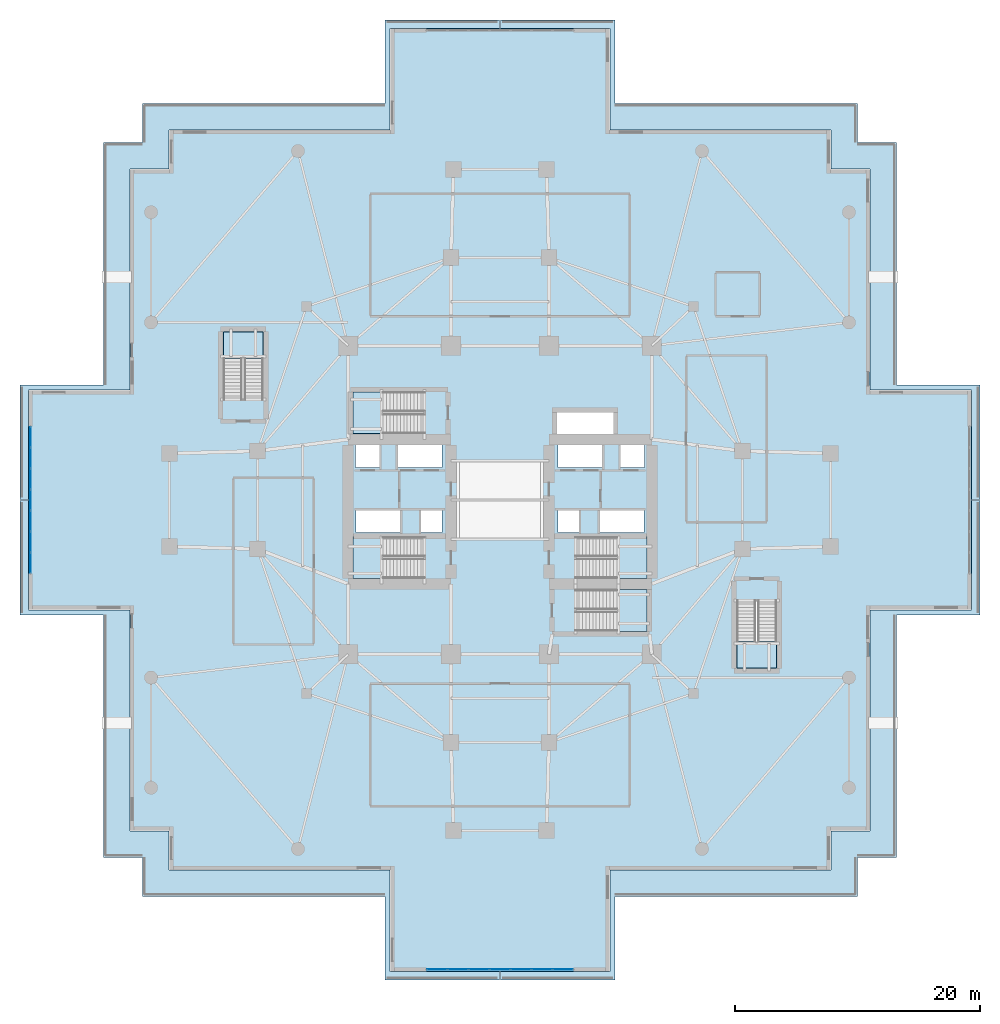
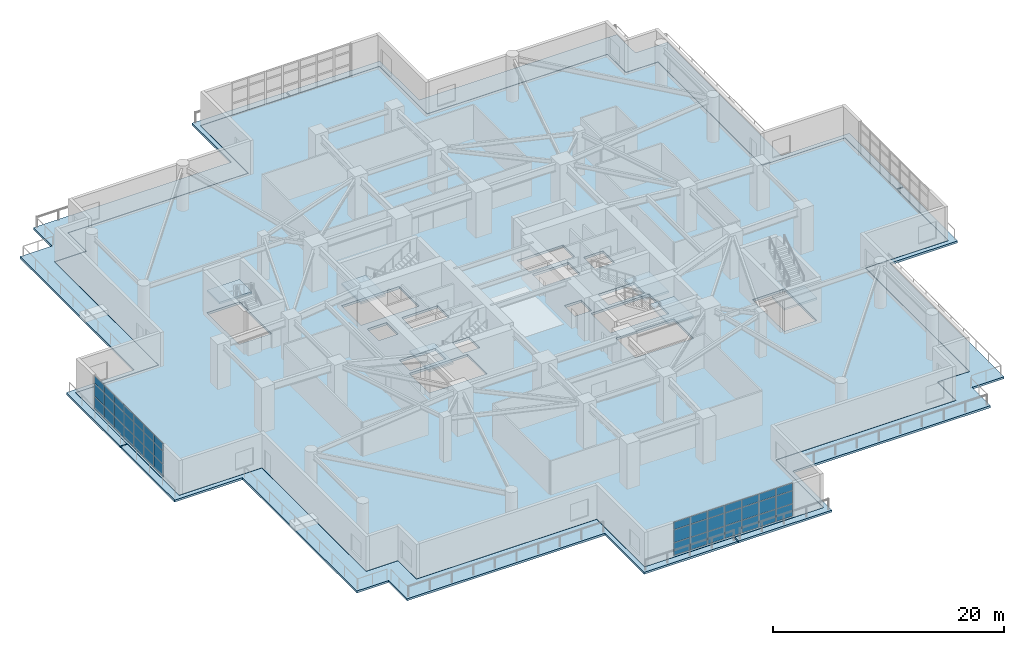
# One storey, part 11 of 23: 42 plates, 11 slabs, 8 elements without a shape of their own.
"""IFC4 building model written with IfcOpenShell, lengths in metres."""

import ifcopenshell
import ifcopenshell.guid

model = None  # the IFC model being written
_history = None  # IfcOwnerHistory: only IFC2X3 demands one
_inside = {}  # id of a spatial element -> (the spatial element, [elements in it])
_under = {}  # id of a project, library or spatial element -> (it, [spatial elements below it])
_declared = {}  # id of a project -> (the project, [libraries it declares])
_typed = {}  # id of a type object -> (the type object, [elements of that type])
_made_of = {}  # id of a material, layer set ... -> (it, [elements and type objects made of it])


def new_model(schema):
    """Start an empty IFC model of exactly this schema.

    Asked for "IFC4X3", IfcOpenShell would pick the latest addendum, in which some entities
    have other attributes; the version numbers below select the first issue.
    IFC2X3 requires an IfcOwnerHistory on every rooted entity: one is made here for all.
    """
    global model, _history
    if schema == "IFC4X3":
        model = ifcopenshell.file(schema_version=(4, 3, 0, 0))
    else:
        model = ifcopenshell.file(schema=schema)
    _inside.clear()
    _under.clear()
    _declared.clear()
    _typed.clear()
    _made_of.clear()
    _history = None
    if model.schema == "IFC2X3":
        org = make("IfcOrganization", Name="unknown")
        user = make(
            "IfcPersonAndOrganization",
            ThePerson=make("IfcPerson", FamilyName="unknown"),
            TheOrganization=org,
        )
        app = make(
            "IfcApplication",
            ApplicationDeveloper=org,
            Version="unknown",
            ApplicationFullName="unknown",
            ApplicationIdentifier="unknown",
        )
        _history = make(
            "IfcOwnerHistory",
            OwningUser=user,
            OwningApplication=app,
            ChangeAction="ADDED",
            CreationDate=0,
        )
    return model


def make(cls, **values):
    """One entity of the class cls with the attributes given. An attribute that is None is left unset."""
    return model.create_entity(
        cls, **{name: value for name, value in values.items() if value is not None}
    )


def rooted(cls, **values):
    """An entity with a GlobalId (a new one), such as an element, a storey or a relation."""
    return make(cls, GlobalId=ifcopenshell.guid.new(), OwnerHistory=_history, **values)


def si_unit(unit_type, name, prefix=None):
    """IfcSIUnit, for example si_unit("LENGTHUNIT", "METRE", prefix="MILLI")."""
    return make("IfcSIUnit", UnitType=unit_type, Prefix=prefix, Name=name)


def assignment(units):
    """IfcUnitAssignment: the units of a project."""
    return None if units is None else make("IfcUnitAssignment", Units=units)


def point(xyz):
    """IfcCartesianPoint."""
    return None if xyz is None else make("IfcCartesianPoint", Coordinates=xyz)


def direction(xyz):
    """IfcDirection."""
    return None if xyz is None else make("IfcDirection", DirectionRatios=xyz)


def frame(location, z_axis=None, x_axis=None):
    """IfcAxis2Placement3D, a coordinate frame: its origin and axes. An axis left out is left unset."""
    return make(
        "IfcAxis2Placement3D",
        Location=point(location),
        Axis=direction(z_axis),
        RefDirection=direction(x_axis),
    )


def frame_2d(location, x_axis=None):
    """IfcAxis2Placement2D, a coordinate frame in the plane: its origin and x axis."""
    return make(
        "IfcAxis2Placement2D", Location=point(location), RefDirection=direction(x_axis)
    )


def origin():
    """The frame at (0, 0, 0) with its axes left unset."""
    return frame((0.0, 0.0, 0.0))


def origin_2d():
    """The frame at (0, 0) in the plane with its x axis left unset."""
    return frame_2d((0.0, 0.0))


def place(relative_to, where):
    """IfcLocalPlacement: puts the frame where relative to a parent placement (None: the world)."""
    return make(
        "IfcLocalPlacement", PlacementRelTo=relative_to, RelativePlacement=where
    )


def context(
    kind, dimensions, precision=None, world=None, true_north=None, identifier=None
):
    """IfcGeometricRepresentationContext, for example the 3D "Model" context."""
    return make(
        "IfcGeometricRepresentationContext",
        ContextIdentifier=identifier,
        ContextType=kind,
        CoordinateSpaceDimension=dimensions,
        Precision=precision,
        WorldCoordinateSystem=world,
        TrueNorth=true_north,
    )


def subcontext(parent, identifier, kind, view, scale=None):
    """IfcGeometricRepresentationSubContext, for example "Body" below "Model"."""
    return make(
        "IfcGeometricRepresentationSubContext",
        ContextIdentifier=identifier,
        ContextType=kind,
        ParentContext=parent,
        TargetScale=scale,
        TargetView=view,
    )


def project(units=None, contexts=None):
    """IfcProject with its units and contexts."""
    return rooted(
        "IfcProject",
        Name="project",
        RepresentationContexts=contexts,
        UnitsInContext=assignment(units),
    )


def spatial(cls, under=None, at=None, **own):
    """A site, building, storey or space (cls), placed at a placement, below another one or the project."""
    s = rooted(cls, ObjectPlacement=at, **own)
    if under is not None:
        _under.setdefault(under.id(), (under, []))[1].append(s)
    return s


def polyline(points):
    """IfcPolyline through the points."""
    return make("IfcPolyline", Points=[point(p) for p in points])


def profile(cls, at=None, kind="AREA", **sizes):
    """A parametric profile (cls). Its sizes go by their IFC names, for example OverallWidth=200.0."""
    return make(cls, ProfileType=kind, Position=at, **sizes)


def rectangle(**sizes):
    """IfcRectangleProfileDef."""
    return profile("IfcRectangleProfileDef", **sizes)


def outline(outer, holes=None, kind="AREA"):
    """IfcArbitraryClosedProfileDef: a profile drawn as a closed curve; with holes, ...WithVoids."""
    if holes is None:
        return make("IfcArbitraryClosedProfileDef", ProfileType=kind, OuterCurve=outer)
    return make(
        "IfcArbitraryProfileDefWithVoids",
        ProfileType=kind,
        OuterCurve=outer,
        InnerCurves=holes,
    )


def extrude(swept, where, along, depth):
    """IfcExtrudedAreaSolid: the profile swept, set in the frame where, extruded along a direction by depth."""
    return make(
        "IfcExtrudedAreaSolid",
        SweptArea=swept,
        Position=where,
        ExtrudedDirection=direction(along),
        Depth=depth,
    )


def shape(context_of_items, identifier, shape_type, items):
    """IfcShapeRepresentation: the items that make up one representation, for example the "Body"."""
    return make(
        "IfcShapeRepresentation",
        ContextOfItems=context_of_items,
        RepresentationIdentifier=identifier,
        RepresentationType=shape_type,
        Items=items,
    )


def material(Name=None, Category=None):
    """IfcMaterial."""
    return make("IfcMaterial", Name=Name, Category=Category)


def layer(
    of_material, thickness, ventilated=None, Name=None, Category=None, Priority=None
):
    """IfcMaterialLayer: one layer of a wall or slab, of a material (None: an air gap)."""
    return make(
        "IfcMaterialLayer",
        Material=of_material,
        LayerThickness=thickness,
        IsVentilated=ventilated,
        Name=Name,
        Category=Category,
        Priority=Priority,
    )


def layer_set(layers, Name=None):
    """IfcMaterialLayerSet."""
    return make("IfcMaterialLayerSet", MaterialLayers=layers, LayerSetName=Name)


def made_of(thing, what):
    """Note that an element or type object is made of a material, layer set ...; save() writes the relation."""
    if what is not None:
        _made_of.setdefault(what.id(), (what, []))[1].append(thing)
    return thing


def type_object(cls, material=None, **own):
    """A type object (cls), such as IfcWallType, which elements share."""
    return made_of(rooted(cls, **own), material)


def element(
    cls,
    number,
    at=None,
    inside=None,
    cuts=None,
    type_object=None,
    material=None,
    context=None,
    identifier="Body",
    shape_type=None,
    held_by="IfcProductDefinitionShape",
    body=None,
    shapes=None,
    **own,
):
    """One element of the class cls, such as IfcWall. Its Tag is "e" and its number.

    at: its placement. inside: the storey or other place that contains it. cuts: it is an
    opening in that element (IfcRelVoidsElement). A single representation is given by context,
    identifier, shape_type and body (its items); several are given by shapes. held_by: the class
    of the entity that holds the representations. save() writes the other relations.
    """
    e = rooted(cls, Tag="e%d" % number, ObjectPlacement=at, **own)
    if body is not None:
        shapes = [shape(context, identifier, shape_type, body)]
    if shapes is not None:
        e.Representation = make(held_by, Representations=shapes)
    if inside is not None:
        _inside.setdefault(inside.id(), (inside, []))[1].append(e)
    if cuts is not None:
        rooted(
            "IfcRelVoidsElement", RelatingBuildingElement=cuts, RelatedOpeningElement=e
        )
    if type_object is not None:
        _typed.setdefault(type_object.id(), (type_object, []))[1].append(e)
    return made_of(e, material)


def aggregate(whole, parts):
    """IfcRelAggregates: a whole, such as a stair, and the parts it consists of."""
    return rooted("IfcRelAggregates", RelatingObject=whole, RelatedObjects=parts)


def save(model, path):
    """Write the relations noted so far, then the file.

    IfcRelAggregates (storeys below a building ...), IfcRelContainedInSpatialStructure (elements
    in a storey), IfcRelDefinesByType, IfcRelAssociatesMaterial and IfcRelDeclares: one each for
    every whole, place, type object, material and project.
    """
    for whole, parts in _under.values():
        aggregate(whole, parts)
    for where, things in _inside.values():
        rooted(
            "IfcRelContainedInSpatialStructure",
            RelatedElements=things,
            RelatingStructure=where,
        )
    for kind, things in _typed.values():
        rooted("IfcRelDefinesByType", RelatedObjects=things, RelatingType=kind)
    for what, things in _made_of.values():
        rooted("IfcRelAssociatesMaterial", RelatedObjects=things, RelatingMaterial=what)
    for by, libraries in _declared.values():
        rooted("IfcRelDeclares", RelatingContext=by, RelatedDefinitions=libraries)
    model.write(path)


model = new_model("IFC4")

# Units and contexts
model_context = context("Model", 3, precision=1e-05, world=origin(), true_north=direction((0.0, 1.0)))
body_context = subcontext(model_context, "Body", "Model", "MODEL_VIEW")
ifc_project = project(units=[si_unit("LENGTHUNIT", "METRE"), si_unit("AREAUNIT", "SQUARE_METRE"), si_unit("VOLUMEUNIT", "CUBIC_METRE"), si_unit("PLANEANGLEUNIT", "RADIAN"), si_unit("MASSUNIT", "GRAM", prefix="KILO")], contexts=[model_context])

# Site, building, storey
site_placement = place(None, origin())
site = spatial("IfcSite", under=ifc_project, at=site_placement, CompositionType="ELEMENT")
building_placement = place(site_placement, origin())
building = spatial("IfcBuilding", under=site, at=building_placement, Name="Qingluan Cross Belvedere", CompositionType="ELEMENT")
storey_placement = place(building_placement, frame((0.0, 0.0, 5.39990234375)))
storey = spatial("IfcBuildingStorey", under=building, at=storey_placement, Name="L02", CompositionType="ELEMENT", Elevation=5.39990234375)

# Curtain wall, plates
ifc_material_1 = material(Name="Thermally broken aluminium and Low-E glass", Category="aluminium")
ifc_layer_1 = layer(ifc_material_1, 0.199951171875, Name="UnitisedCW_PodiumArrival")
ifc_layer_set_1 = layer_set([ifc_layer_1], Name="Thermally broken aluminium and Low-E glass")
curtain_wall_type = type_object("IfcCurtainWallType", Name="UnitisedCW_PodiumArrival", PredefinedType="USERDEFINED", material=ifc_layer_set_1)
curtain_wall_1_placement = place(storey_placement, origin())
curtain_wall_1 = element("IfcCurtainWall", 1, at=curtain_wall_1_placement, inside=storey, type_object=curtain_wall_type, Name="UnitisedCW_PodiumArrival run env:cw:L02:S", ObjectType="UNITISED CURTAIN WALL", PredefinedType="USERDEFINED")
ifc_material_2 = material(Name="Ceramic-fritted insulated spandrel glass", Category="glass")
ifc_layer_2 = layer(ifc_material_2, 0.0439453125, Name="CWSpandrelPanel_44")
ifc_layer_set_2 = layer_set([ifc_layer_2], Name="Ceramic-fritted insulated spandrel glass")
plate_type = type_object("IfcPlateType", Name="CWSpandrelPanel_44", PredefinedType="CURTAIN_PANEL", material=ifc_layer_set_2)
plate_1_placement = place(storey_placement, frame((5.1279296875, -38.340087890625, 0.06005859375), z_axis=(0.0, 0.0, 1.0), x_axis=(-1.0, 0.0, 0.0)))
plate_1 = element("IfcPlate", 2, at=plate_1_placement, type_object=plate_type, Name="CW-P1 panel 1.1", PredefinedType="CURTAIN_PANEL", context=body_context, shape_type="SweptSolid", body=[
    extrude(rectangle(XDim=1.624267578125, YDim=0.028076171875, at=origin_2d()), origin(), (0.0, 0.0, 1.0), 1.2890625),
])
plate_2_placement = place(storey_placement, frame((5.1279296875, -38.340087890625, 1.4091796875), z_axis=(0.0, 0.0, 1.0), x_axis=(-1.0, 0.0, 0.0)))
plate_2 = element("IfcPlate", 3, at=plate_2_placement, type_object=plate_type, Name="CW-P1 panel 1.2", PredefinedType="CURTAIN_PANEL", context=body_context, shape_type="SweptSolid", body=[
    extrude(rectangle(XDim=1.624267578125, YDim=0.028076171875, at=origin_2d()), origin(), (0.0, 0.0, 1.0), 1.320068359375),
])
plate_3_placement = place(storey_placement, frame((5.1279296875, -38.340087890625, 2.7890625), z_axis=(0.0, 0.0, 1.0), x_axis=(-1.0, 0.0, 0.0)))
plate_3 = element("IfcPlate", 4, at=plate_3_placement, type_object=plate_type, Name="CW-P1 panel 1.3", PredefinedType="CURTAIN_PANEL", context=body_context, shape_type="SweptSolid", body=[
    extrude(rectangle(XDim=1.624267578125, YDim=0.028076171875, at=origin_2d()), origin(), (0.0, 0.0, 1.0), 0.781005859375),
])
plate_4_placement = place(storey_placement, frame((3.428466796875, -38.340087890625, 0.06005859375), z_axis=(0.0, 0.0, 1.0), x_axis=(-1.0, 0.0, 0.0)))
plate_4 = element("IfcPlate", 5, at=plate_4_placement, type_object=plate_type, Name="CW-P1 panel 2.1", PredefinedType="CURTAIN_PANEL", context=body_context, shape_type="SweptSolid", body=[
    extrude(rectangle(XDim=1.654296875, YDim=0.028076171875, at=origin_2d()), origin(), (0.0, 0.0, 1.0), 1.2890625),
])
plate_5_placement = place(storey_placement, frame((3.428466796875, -38.340087890625, 1.4091796875), z_axis=(0.0, 0.0, 1.0), x_axis=(-1.0, 0.0, 0.0)))
plate_5 = element("IfcPlate", 6, at=plate_5_placement, type_object=plate_type, Name="CW-P1 panel 2.2", PredefinedType="CURTAIN_PANEL", context=body_context, shape_type="SweptSolid", body=[
    extrude(rectangle(XDim=1.654296875, YDim=0.028076171875, at=origin_2d()), origin(), (0.0, 0.0, 1.0), 1.320068359375),
])
plate_6_placement = place(storey_placement, frame((3.428466796875, -38.340087890625, 2.7890625), z_axis=(0.0, 0.0, 1.0), x_axis=(-1.0, 0.0, 0.0)))
plate_6 = element("IfcPlate", 7, at=plate_6_placement, type_object=plate_type, Name="CW-P1 panel 2.3", PredefinedType="CURTAIN_PANEL", context=body_context, shape_type="SweptSolid", body=[
    extrude(rectangle(XDim=1.654296875, YDim=0.028076171875, at=origin_2d()), origin(), (0.0, 0.0, 1.0), 0.781005859375),
])
plate_7_placement = place(storey_placement, frame((1.71435546875, -38.340087890625, 0.06005859375), z_axis=(0.0, 0.0, 1.0), x_axis=(-1.0, 0.0, 0.0)))
plate_7 = element("IfcPlate", 8, at=plate_7_placement, type_object=plate_type, Name="CW-P1 panel 3.1", PredefinedType="CURTAIN_PANEL", context=body_context, shape_type="SweptSolid", body=[
    extrude(rectangle(XDim=1.654296875, YDim=0.028076171875, at=origin_2d()), origin(), (0.0, 0.0, 1.0), 1.2890625),
])
plate_8_placement = place(storey_placement, frame((1.71435546875, -38.340087890625, 1.4091796875), z_axis=(0.0, 0.0, 1.0), x_axis=(-1.0, 0.0, 0.0)))
plate_8 = element("IfcPlate", 9, at=plate_8_placement, type_object=plate_type, Name="CW-P1 panel 3.2", PredefinedType="CURTAIN_PANEL", context=body_context, shape_type="SweptSolid", body=[
    extrude(rectangle(XDim=1.654296875, YDim=0.028076171875, at=origin_2d()), origin(), (0.0, 0.0, 1.0), 1.320068359375),
])
plate_9_placement = place(storey_placement, frame((1.71435546875, -38.340087890625, 2.7890625), z_axis=(0.0, 0.0, 1.0), x_axis=(-1.0, 0.0, 0.0)))
plate_9 = element("IfcPlate", 10, at=plate_9_placement, type_object=plate_type, Name="CW-P1 panel 3.3", PredefinedType="CURTAIN_PANEL", context=body_context, shape_type="SweptSolid", body=[
    extrude(rectangle(XDim=1.654296875, YDim=0.028076171875, at=origin_2d()), origin(), (0.0, 0.0, 1.0), 0.781005859375),
])
plate_10_placement = place(storey_placement, frame((0.0, -38.340087890625, 0.06005859375), z_axis=(0.0, 0.0, 1.0), x_axis=(-1.0, 0.0, 0.0)))
plate_10 = element("IfcPlate", 11, at=plate_10_placement, type_object=plate_type, Name="CW-P1 panel 4.1", PredefinedType="CURTAIN_PANEL", context=body_context, shape_type="SweptSolid", body=[
    extrude(rectangle(XDim=1.654296875, YDim=0.028076171875, at=origin_2d()), origin(), (0.0, 0.0, 1.0), 1.2890625),
])
plate_11_placement = place(storey_placement, frame((0.0, -38.340087890625, 1.4091796875), z_axis=(0.0, 0.0, 1.0), x_axis=(-1.0, 0.0, 0.0)))
plate_11 = element("IfcPlate", 12, at=plate_11_placement, type_object=plate_type, Name="CW-P1 panel 4.2", PredefinedType="CURTAIN_PANEL", context=body_context, shape_type="SweptSolid", body=[
    extrude(rectangle(XDim=1.654296875, YDim=0.028076171875, at=origin_2d()), origin(), (0.0, 0.0, 1.0), 1.320068359375),
])
plate_12_placement = place(storey_placement, frame((0.0, -38.340087890625, 2.7890625), z_axis=(0.0, 0.0, 1.0), x_axis=(-1.0, 0.0, 0.0)))
plate_12 = element("IfcPlate", 13, at=plate_12_placement, type_object=plate_type, Name="CW-P1 panel 4.3", PredefinedType="CURTAIN_PANEL", context=body_context, shape_type="SweptSolid", body=[
    extrude(rectangle(XDim=1.654296875, YDim=0.028076171875, at=origin_2d()), origin(), (0.0, 0.0, 1.0), 0.781005859375),
])
plate_13_placement = place(storey_placement, frame((-1.71435546875, -38.340087890625, 0.06005859375), z_axis=(0.0, 0.0, 1.0), x_axis=(-1.0, 0.0, 0.0)))
plate_13 = element("IfcPlate", 14, at=plate_13_placement, type_object=plate_type, Name="CW-P1 panel 5.1", PredefinedType="CURTAIN_PANEL", context=body_context, shape_type="SweptSolid", body=[
    extrude(rectangle(XDim=1.654296875, YDim=0.028076171875, at=origin_2d()), origin(), (0.0, 0.0, 1.0), 1.2890625),
])
plate_14_placement = place(storey_placement, frame((-1.71435546875, -38.340087890625, 1.4091796875), z_axis=(0.0, 0.0, 1.0), x_axis=(-1.0, 0.0, 0.0)))
plate_14 = element("IfcPlate", 15, at=plate_14_placement, type_object=plate_type, Name="CW-P1 panel 5.2", PredefinedType="CURTAIN_PANEL", context=body_context, shape_type="SweptSolid", body=[
    extrude(rectangle(XDim=1.654296875, YDim=0.028076171875, at=origin_2d()), origin(), (0.0, 0.0, 1.0), 1.320068359375),
])
plate_15_placement = place(storey_placement, frame((-1.71435546875, -38.340087890625, 2.7890625), z_axis=(0.0, 0.0, 1.0), x_axis=(-1.0, 0.0, 0.0)))
plate_15 = element("IfcPlate", 16, at=plate_15_placement, type_object=plate_type, Name="CW-P1 panel 5.3", PredefinedType="CURTAIN_PANEL", context=body_context, shape_type="SweptSolid", body=[
    extrude(rectangle(XDim=1.654296875, YDim=0.028076171875, at=origin_2d()), origin(), (0.0, 0.0, 1.0), 0.781005859375),
])
plate_16_placement = place(storey_placement, frame((-3.428466796875, -38.340087890625, 0.06005859375), z_axis=(0.0, 0.0, 1.0), x_axis=(-1.0, 0.0, 0.0)))
plate_16 = element("IfcPlate", 17, at=plate_16_placement, type_object=plate_type, Name="CW-P1 panel 6.1", PredefinedType="CURTAIN_PANEL", context=body_context, shape_type="SweptSolid", body=[
    extrude(rectangle(XDim=1.654296875, YDim=0.028076171875, at=origin_2d()), origin(), (0.0, 0.0, 1.0), 1.2890625),
])
plate_17_placement = place(storey_placement, frame((-3.428466796875, -38.340087890625, 1.4091796875), z_axis=(0.0, 0.0, 1.0), x_axis=(-1.0, 0.0, 0.0)))
plate_17 = element("IfcPlate", 18, at=plate_17_placement, type_object=plate_type, Name="CW-P1 panel 6.2", PredefinedType="CURTAIN_PANEL", context=body_context, shape_type="SweptSolid", body=[
    extrude(rectangle(XDim=1.654296875, YDim=0.028076171875, at=origin_2d()), origin(), (0.0, 0.0, 1.0), 1.320068359375),
])
plate_18_placement = place(storey_placement, frame((-3.428466796875, -38.340087890625, 2.7890625), z_axis=(0.0, 0.0, 1.0), x_axis=(-1.0, 0.0, 0.0)))
plate_18 = element("IfcPlate", 19, at=plate_18_placement, type_object=plate_type, Name="CW-P1 panel 6.3", PredefinedType="CURTAIN_PANEL", context=body_context, shape_type="SweptSolid", body=[
    extrude(rectangle(XDim=1.654296875, YDim=0.028076171875, at=origin_2d()), origin(), (0.0, 0.0, 1.0), 0.781005859375),
])
plate_19_placement = place(storey_placement, frame((-5.1279296875, -38.340087890625, 0.06005859375), z_axis=(0.0, 0.0, 1.0), x_axis=(-1.0, 0.0, 0.0)))
plate_19 = element("IfcPlate", 20, at=plate_19_placement, type_object=plate_type, Name="CW-P1 panel 7.1", PredefinedType="CURTAIN_PANEL", context=body_context, shape_type="SweptSolid", body=[
    extrude(rectangle(XDim=1.624267578125, YDim=0.028076171875, at=origin_2d()), origin(), (0.0, 0.0, 1.0), 1.2890625),
])
plate_20_placement = place(storey_placement, frame((-5.1279296875, -38.340087890625, 1.4091796875), z_axis=(0.0, 0.0, 1.0), x_axis=(-1.0, 0.0, 0.0)))
plate_20 = element("IfcPlate", 21, at=plate_20_placement, type_object=plate_type, Name="CW-P1 panel 7.2", PredefinedType="CURTAIN_PANEL", context=body_context, shape_type="SweptSolid", body=[
    extrude(rectangle(XDim=1.624267578125, YDim=0.028076171875, at=origin_2d()), origin(), (0.0, 0.0, 1.0), 1.320068359375),
])
plate_21_placement = place(storey_placement, frame((-5.1279296875, -38.340087890625, 2.7890625), z_axis=(0.0, 0.0, 1.0), x_axis=(-1.0, 0.0, 0.0)))
plate_21 = element("IfcPlate", 22, at=plate_21_placement, type_object=plate_type, Name="CW-P1 panel 7.3", PredefinedType="CURTAIN_PANEL", context=body_context, shape_type="SweptSolid", body=[
    extrude(rectangle(XDim=1.624267578125, YDim=0.028076171875, at=origin_2d()), origin(), (0.0, 0.0, 1.0), 0.781005859375),
])
aggregate(curtain_wall_1, [plate_1, plate_2, plate_3, plate_4, plate_5, plate_6, plate_7, plate_8, plate_9, plate_10, plate_11, plate_12, plate_13, plate_14, plate_15, plate_16, plate_17, plate_18, plate_19, plate_20, plate_21])

curtain_wall_2_placement = place(storey_placement, origin())
curtain_wall_2 = element("IfcCurtainWall", 23, at=curtain_wall_2_placement, inside=storey, type_object=curtain_wall_type, Name="UnitisedCW_PodiumArrival run env:cw:L02:W", ObjectType="UNITISED CURTAIN WALL", PredefinedType="USERDEFINED")
plate_22_placement = place(storey_placement, frame((-38.340087890625, -5.1279296875, 0.06005859375), z_axis=(0.0, 0.0, 1.0), x_axis=(0.0, 1.0, 0.0)))
plate_22 = element("IfcPlate", 24, at=plate_22_placement, type_object=plate_type, Name="CW-P1 panel 1.1", PredefinedType="CURTAIN_PANEL", context=body_context, shape_type="SweptSolid", body=[
    extrude(rectangle(XDim=1.624267578125, YDim=0.028076171875, at=origin_2d()), origin(), (0.0, 0.0, 1.0), 1.2890625),
])
plate_23_placement = place(storey_placement, frame((-38.340087890625, -5.1279296875, 1.4091796875), z_axis=(0.0, 0.0, 1.0), x_axis=(0.0, 1.0, 0.0)))
plate_23 = element("IfcPlate", 25, at=plate_23_placement, type_object=plate_type, Name="CW-P1 panel 1.2", PredefinedType="CURTAIN_PANEL", context=body_context, shape_type="SweptSolid", body=[
    extrude(rectangle(XDim=1.624267578125, YDim=0.028076171875, at=origin_2d()), origin(), (0.0, 0.0, 1.0), 1.320068359375),
])
plate_24_placement = place(storey_placement, frame((-38.340087890625, -5.1279296875, 2.7890625), z_axis=(0.0, 0.0, 1.0), x_axis=(0.0, 1.0, 0.0)))
plate_24 = element("IfcPlate", 26, at=plate_24_placement, type_object=plate_type, Name="CW-P1 panel 1.3", PredefinedType="CURTAIN_PANEL", context=body_context, shape_type="SweptSolid", body=[
    extrude(rectangle(XDim=1.624267578125, YDim=0.028076171875, at=origin_2d()), origin(), (0.0, 0.0, 1.0), 0.781005859375),
])
plate_25_placement = place(storey_placement, frame((-38.340087890625, -3.428466796875, 0.06005859375), z_axis=(0.0, 0.0, 1.0), x_axis=(0.0, 1.0, 0.0)))
plate_25 = element("IfcPlate", 27, at=plate_25_placement, type_object=plate_type, Name="CW-P1 panel 2.1", PredefinedType="CURTAIN_PANEL", context=body_context, shape_type="SweptSolid", body=[
    extrude(rectangle(XDim=1.654296875, YDim=0.028076171875, at=origin_2d()), origin(), (0.0, 0.0, 1.0), 1.2890625),
])
plate_26_placement = place(storey_placement, frame((-38.340087890625, -3.428466796875, 1.4091796875), z_axis=(0.0, 0.0, 1.0), x_axis=(0.0, 1.0, 0.0)))
plate_26 = element("IfcPlate", 28, at=plate_26_placement, type_object=plate_type, Name="CW-P1 panel 2.2", PredefinedType="CURTAIN_PANEL", context=body_context, shape_type="SweptSolid", body=[
    extrude(rectangle(XDim=1.654296875, YDim=0.028076171875, at=origin_2d()), origin(), (0.0, 0.0, 1.0), 1.320068359375),
])
plate_27_placement = place(storey_placement, frame((-38.340087890625, -3.428466796875, 2.7890625), z_axis=(0.0, 0.0, 1.0), x_axis=(0.0, 1.0, 0.0)))
plate_27 = element("IfcPlate", 29, at=plate_27_placement, type_object=plate_type, Name="CW-P1 panel 2.3", PredefinedType="CURTAIN_PANEL", context=body_context, shape_type="SweptSolid", body=[
    extrude(rectangle(XDim=1.654296875, YDim=0.028076171875, at=origin_2d()), origin(), (0.0, 0.0, 1.0), 0.781005859375),
])
plate_28_placement = place(storey_placement, frame((-38.340087890625, -1.71435546875, 0.06005859375), z_axis=(0.0, 0.0, 1.0), x_axis=(0.0, 1.0, 0.0)))
plate_28 = element("IfcPlate", 30, at=plate_28_placement, type_object=plate_type, Name="CW-P1 panel 3.1", PredefinedType="CURTAIN_PANEL", context=body_context, shape_type="SweptSolid", body=[
    extrude(rectangle(XDim=1.654296875, YDim=0.028076171875, at=origin_2d()), origin(), (0.0, 0.0, 1.0), 1.2890625),
])
plate_29_placement = place(storey_placement, frame((-38.340087890625, -1.71435546875, 1.4091796875), z_axis=(0.0, 0.0, 1.0), x_axis=(0.0, 1.0, 0.0)))
plate_29 = element("IfcPlate", 31, at=plate_29_placement, type_object=plate_type, Name="CW-P1 panel 3.2", PredefinedType="CURTAIN_PANEL", context=body_context, shape_type="SweptSolid", body=[
    extrude(rectangle(XDim=1.654296875, YDim=0.028076171875, at=origin_2d()), origin(), (0.0, 0.0, 1.0), 1.320068359375),
])
plate_30_placement = place(storey_placement, frame((-38.340087890625, -1.71435546875, 2.7890625), z_axis=(0.0, 0.0, 1.0), x_axis=(0.0, 1.0, 0.0)))
plate_30 = element("IfcPlate", 32, at=plate_30_placement, type_object=plate_type, Name="CW-P1 panel 3.3", PredefinedType="CURTAIN_PANEL", context=body_context, shape_type="SweptSolid", body=[
    extrude(rectangle(XDim=1.654296875, YDim=0.028076171875, at=origin_2d()), origin(), (0.0, 0.0, 1.0), 0.781005859375),
])
plate_31_placement = place(storey_placement, frame((-38.340087890625, 0.0, 0.06005859375), z_axis=(0.0, 0.0, 1.0), x_axis=(0.0, 1.0, 0.0)))
plate_31 = element("IfcPlate", 33, at=plate_31_placement, type_object=plate_type, Name="CW-P1 panel 4.1", PredefinedType="CURTAIN_PANEL", context=body_context, shape_type="SweptSolid", body=[
    extrude(rectangle(XDim=1.654296875, YDim=0.028076171875, at=origin_2d()), origin(), (0.0, 0.0, 1.0), 1.2890625),
])
plate_32_placement = place(storey_placement, frame((-38.340087890625, 0.0, 1.4091796875), z_axis=(0.0, 0.0, 1.0), x_axis=(0.0, 1.0, 0.0)))
plate_32 = element("IfcPlate", 34, at=plate_32_placement, type_object=plate_type, Name="CW-P1 panel 4.2", PredefinedType="CURTAIN_PANEL", context=body_context, shape_type="SweptSolid", body=[
    extrude(rectangle(XDim=1.654296875, YDim=0.028076171875, at=origin_2d()), origin(), (0.0, 0.0, 1.0), 1.320068359375),
])
plate_33_placement = place(storey_placement, frame((-38.340087890625, 0.0, 2.7890625), z_axis=(0.0, 0.0, 1.0), x_axis=(0.0, 1.0, 0.0)))
plate_33 = element("IfcPlate", 35, at=plate_33_placement, type_object=plate_type, Name="CW-P1 panel 4.3", PredefinedType="CURTAIN_PANEL", context=body_context, shape_type="SweptSolid", body=[
    extrude(rectangle(XDim=1.654296875, YDim=0.028076171875, at=origin_2d()), origin(), (0.0, 0.0, 1.0), 0.781005859375),
])
plate_34_placement = place(storey_placement, frame((-38.340087890625, 1.71435546875, 0.06005859375), z_axis=(0.0, 0.0, 1.0), x_axis=(0.0, 1.0, 0.0)))
plate_34 = element("IfcPlate", 36, at=plate_34_placement, type_object=plate_type, Name="CW-P1 panel 5.1", PredefinedType="CURTAIN_PANEL", context=body_context, shape_type="SweptSolid", body=[
    extrude(rectangle(XDim=1.654296875, YDim=0.028076171875, at=origin_2d()), origin(), (0.0, 0.0, 1.0), 1.2890625),
])
plate_35_placement = place(storey_placement, frame((-38.340087890625, 1.71435546875, 1.4091796875), z_axis=(0.0, 0.0, 1.0), x_axis=(0.0, 1.0, 0.0)))
plate_35 = element("IfcPlate", 37, at=plate_35_placement, type_object=plate_type, Name="CW-P1 panel 5.2", PredefinedType="CURTAIN_PANEL", context=body_context, shape_type="SweptSolid", body=[
    extrude(rectangle(XDim=1.654296875, YDim=0.028076171875, at=origin_2d()), origin(), (0.0, 0.0, 1.0), 1.320068359375),
])
plate_36_placement = place(storey_placement, frame((-38.340087890625, 1.71435546875, 2.7890625), z_axis=(0.0, 0.0, 1.0), x_axis=(0.0, 1.0, 0.0)))
plate_36 = element("IfcPlate", 38, at=plate_36_placement, type_object=plate_type, Name="CW-P1 panel 5.3", PredefinedType="CURTAIN_PANEL", context=body_context, shape_type="SweptSolid", body=[
    extrude(rectangle(XDim=1.654296875, YDim=0.028076171875, at=origin_2d()), origin(), (0.0, 0.0, 1.0), 0.781005859375),
])
plate_37_placement = place(storey_placement, frame((-38.340087890625, 3.428466796875, 0.06005859375), z_axis=(0.0, 0.0, 1.0), x_axis=(0.0, 1.0, 0.0)))
plate_37 = element("IfcPlate", 39, at=plate_37_placement, type_object=plate_type, Name="CW-P1 panel 6.1", PredefinedType="CURTAIN_PANEL", context=body_context, shape_type="SweptSolid", body=[
    extrude(rectangle(XDim=1.654296875, YDim=0.028076171875, at=origin_2d()), origin(), (0.0, 0.0, 1.0), 1.2890625),
])
plate_38_placement = place(storey_placement, frame((-38.340087890625, 3.428466796875, 1.4091796875), z_axis=(0.0, 0.0, 1.0), x_axis=(0.0, 1.0, 0.0)))
plate_38 = element("IfcPlate", 40, at=plate_38_placement, type_object=plate_type, Name="CW-P1 panel 6.2", PredefinedType="CURTAIN_PANEL", context=body_context, shape_type="SweptSolid", body=[
    extrude(rectangle(XDim=1.654296875, YDim=0.028076171875, at=origin_2d()), origin(), (0.0, 0.0, 1.0), 1.320068359375),
])
plate_39_placement = place(storey_placement, frame((-38.340087890625, 3.428466796875, 2.7890625), z_axis=(0.0, 0.0, 1.0), x_axis=(0.0, 1.0, 0.0)))
plate_39 = element("IfcPlate", 41, at=plate_39_placement, type_object=plate_type, Name="CW-P1 panel 6.3", PredefinedType="CURTAIN_PANEL", context=body_context, shape_type="SweptSolid", body=[
    extrude(rectangle(XDim=1.654296875, YDim=0.028076171875, at=origin_2d()), origin(), (0.0, 0.0, 1.0), 0.781005859375),
])
plate_40_placement = place(storey_placement, frame((-38.340087890625, 5.1279296875, 0.06005859375), z_axis=(0.0, 0.0, 1.0), x_axis=(0.0, 1.0, 0.0)))
plate_40 = element("IfcPlate", 42, at=plate_40_placement, type_object=plate_type, Name="CW-P1 panel 7.1", PredefinedType="CURTAIN_PANEL", context=body_context, shape_type="SweptSolid", body=[
    extrude(rectangle(XDim=1.624267578125, YDim=0.028076171875, at=origin_2d()), origin(), (0.0, 0.0, 1.0), 1.2890625),
])
plate_41_placement = place(storey_placement, frame((-38.340087890625, 5.1279296875, 1.4091796875), z_axis=(0.0, 0.0, 1.0), x_axis=(0.0, 1.0, 0.0)))
plate_41 = element("IfcPlate", 43, at=plate_41_placement, type_object=plate_type, Name="CW-P1 panel 7.2", PredefinedType="CURTAIN_PANEL", context=body_context, shape_type="SweptSolid", body=[
    extrude(rectangle(XDim=1.624267578125, YDim=0.028076171875, at=origin_2d()), origin(), (0.0, 0.0, 1.0), 1.320068359375),
])
plate_42_placement = place(storey_placement, frame((-38.340087890625, 5.1279296875, 2.7890625), z_axis=(0.0, 0.0, 1.0), x_axis=(0.0, 1.0, 0.0)))
plate_42 = element("IfcPlate", 44, at=plate_42_placement, type_object=plate_type, Name="CW-P1 panel 7.3", PredefinedType="CURTAIN_PANEL", context=body_context, shape_type="SweptSolid", body=[
    extrude(rectangle(XDim=1.624267578125, YDim=0.028076171875, at=origin_2d()), origin(), (0.0, 0.0, 1.0), 0.781005859375),
])
aggregate(curtain_wall_2, [plate_22, plate_23, plate_24, plate_25, plate_26, plate_27, plate_28, plate_29, plate_30, plate_31, plate_32, plate_33, plate_34, plate_35, plate_36, plate_37, plate_38, plate_39, plate_40, plate_41, plate_42])

# Slab
ifc_material_3 = material(Name="Concrete C40", Category="concrete")
ifc_layer_3 = layer(ifc_material_3, 0.25, Name="FloorSlab_250")
ifc_layer_set_3 = layer_set([ifc_layer_3], Name="Concrete C40")
slab_type_1 = type_object("IfcSlabType", Name="FloorSlab_250", PredefinedType="FLOOR", material=ifc_layer_set_3)
slab_1_placement = place(storey_placement, frame((0.0, 0.0, -0.25)))
element("IfcSlab", 45, at=slab_1_placement, inside=storey, type_object=slab_type_1, Name="Structural floor slab L02", PredefinedType="FLOOR", context=body_context, shape_type="SweptSolid", body=[
    extrude(outline(polyline([(27.0, -30.199951171875), (27.0, -27.0), (30.199951171875, -27.0), (30.199951171875, -8.949951171875), (38.5, -8.949951171875), (38.5, 8.949951171875), (30.199951171875, 8.949951171875), (30.199951171875, 27.0), (27.0, 27.0), (27.0, 30.199951171875), (8.949951171875, 30.199951171875), (8.949951171875, 38.5), (-8.949951171875, 38.5), (-8.949951171875, 30.199951171875), (-27.0, 30.199951171875), (-27.0, 27.0), (-30.199951171875, 27.0), (-30.199951171875, 8.949951171875), (-38.5, 8.949951171875), (-38.5, -8.949951171875), (-30.199951171875, -8.949951171875), (-30.199951171875, -27.0), (-27.0, -27.0), (-27.0, -30.199951171875), (-8.949951171875, -30.199951171875), (-8.949951171875, -38.5), (8.949951171875, -38.5), (8.949951171875, -30.199951171875), (27.0, -30.199951171875)]), holes=[polyline([(-12.0, -3.0), (-6.179931640625, -3.0), (-6.179931640625, -6.39990234375), (-12.0, -6.39990234375), (-12.0, -3.0)]), polyline([(6.179931640625, -3.0), (12.0, -3.0), (12.0, -6.39990234375), (6.179931640625, -6.39990234375), (6.179931640625, -3.0)]), polyline([(-12.0, 8.820068359375), (-6.179931640625, 8.820068359375), (-6.179931640625, 5.419921875), (-12.0, 5.419921875), (-12.0, 8.820068359375)]), polyline([(6.179931640625, -7.320068359375), (12.0, -7.320068359375), (12.0, -10.719970703125), (6.179931640625, -10.719970703125), (6.179931640625, -7.320068359375)]), polyline([(-22.60009765625, 13.72998046875), (-19.340087890625, 13.72998046875), (-19.340087890625, 8.2099609375), (-22.60009765625, 8.2099609375), (-22.60009765625, 13.72998046875)]), polyline([(19.340087890625, -8.2099609375), (22.60009765625, -8.2099609375), (22.60009765625, -13.72998046875), (19.340087890625, -13.72998046875), (19.340087890625, -8.2099609375)]), polyline([(-11.800048828125, 4.64990234375), (-9.85009765625, 4.64990234375), (-9.85009765625, 2.64990234375), (-11.800048828125, 2.64990234375), (-11.800048828125, 4.64990234375)]), polyline([(-8.35009765625, 4.64990234375), (-4.75, 4.64990234375), (-4.75, 2.64990234375), (-8.35009765625, 2.64990234375), (-8.35009765625, 4.64990234375)]), polyline([(4.75, 4.64990234375), (8.35009765625, 4.64990234375), (8.35009765625, 2.64990234375), (4.75, 2.64990234375), (4.75, 4.64990234375)]), polyline([(9.85009765625, 4.64990234375), (11.800048828125, 4.64990234375), (11.800048828125, 2.64990234375), (9.85009765625, 2.64990234375), (9.85009765625, 4.64990234375)]), polyline([(-11.75, -0.840087890625), (-8.14990234375, -0.840087890625), (-8.14990234375, -2.659912109375), (-11.75, -2.659912109375), (-11.75, -0.840087890625)]), polyline([(-6.449951171875, -0.840087890625), (-4.75, -0.840087890625), (-4.75, -2.659912109375), (-6.449951171875, -2.659912109375), (-6.449951171875, -0.840087890625)]), polyline([(4.75, -0.840087890625), (6.449951171875, -0.840087890625), (6.449951171875, -2.659912109375), (4.75, -2.659912109375), (4.75, -0.840087890625)]), polyline([(8.14990234375, -0.840087890625), (11.75, -0.840087890625), (11.75, -2.659912109375), (8.14990234375, -2.659912109375), (8.14990234375, -0.840087890625)]), polyline([(4.64990234375, 7.14990234375), (9.25, 7.14990234375), (9.25, 5.14990234375), (4.64990234375, 5.14990234375), (4.64990234375, 7.14990234375)])]), origin(), (0.0, 0.0, 1.0), 0.25),
])

# Stair, slab
ifc_material_4 = material(Name="Concrete C40", Category="concrete")
stair_type_1 = type_object("IfcStairType", Name="CoreDoglegStair_1620", PredefinedType="HALF_TURN_STAIR", material=ifc_material_4)
stair_1_placement = place(storey_placement, origin())
stair_1 = element("IfcStair", 46, at=stair_1_placement, inside=storey, type_object=stair_type_1, Name="L02 ST1", PredefinedType="HALF_TURN_STAIR")
ifc_material_5 = material(Name="Concrete C40", Category="concrete")
ifc_layer_4 = layer(ifc_material_5, 0.179931640625, Name="StairLandingSlab_180")
ifc_layer_set_4 = layer_set([ifc_layer_4], Name="Concrete C40")
slab_type_2 = type_object("IfcSlabType", Name="StairLandingSlab_180", PredefinedType="LANDING", material=ifc_layer_set_4)
slab_2_placement = place(storey_placement, frame((0.0, 0.0, 2.2001953125)))
slab_2 = element("IfcSlab", 47, at=slab_2_placement, type_object=slab_type_2, Name="ST1 landing 1", PredefinedType="LANDING", context=body_context, shape_type="SweptSolid", body=[
    extrude(outline(polyline([(-9.5400390625, -3.0), (-12.0, -3.0), (-12.0, -6.39990234375), (-9.5400390625, -6.39990234375), (-9.5400390625, -3.0)])), origin(), (0.0, 0.0, 1.0), 0.199951171875),
])
aggregate(stair_1, [slab_2])

stair_2_placement = place(storey_placement, origin())
stair_2 = element("IfcStair", 48, at=stair_2_placement, inside=storey, type_object=stair_type_1, Name="L02 ST2", PredefinedType="HALF_TURN_STAIR")
slab_3_placement = place(storey_placement, frame((0.0, 0.0, 2.2001953125)))
slab_3 = element("IfcSlab", 49, at=slab_3_placement, type_object=slab_type_2, Name="ST2 landing 1", PredefinedType="LANDING", context=body_context, shape_type="SweptSolid", body=[
    extrude(outline(polyline([(9.5400390625, -6.39990234375), (12.0, -6.39990234375), (12.0, -3.0), (9.5400390625, -3.0), (9.5400390625, -6.39990234375)])), origin(), (0.0, 0.0, 1.0), 0.199951171875),
])
aggregate(stair_2, [slab_3])

stair_3_placement = place(storey_placement, origin())
stair_3 = element("IfcStair", 50, at=stair_3_placement, inside=storey, type_object=stair_type_1, Name="L02 ST3", PredefinedType="HALF_TURN_STAIR")
slab_4_placement = place(storey_placement, frame((0.0, 0.0, 2.2001953125)))
slab_4 = element("IfcSlab", 51, at=slab_4_placement, type_object=slab_type_2, Name="ST3 landing 1", PredefinedType="LANDING", context=body_context, shape_type="SweptSolid", body=[
    extrude(outline(polyline([(-9.5400390625, 8.820068359375), (-12.0, 8.820068359375), (-12.0, 5.419921875), (-9.5400390625, 5.419921875), (-9.5400390625, 8.820068359375)])), origin(), (0.0, 0.0, 1.0), 0.199951171875),
])
aggregate(stair_3, [slab_4])

stair_4_placement = place(storey_placement, origin())
stair_4 = element("IfcStair", 52, at=stair_4_placement, inside=storey, type_object=stair_type_1, Name="L02 ST4", PredefinedType="HALF_TURN_STAIR")
slab_5_placement = place(storey_placement, frame((0.0, 0.0, 2.2001953125)))
slab_5 = element("IfcSlab", 53, at=slab_5_placement, type_object=slab_type_2, Name="ST4 landing 1", PredefinedType="LANDING", context=body_context, shape_type="SweptSolid", body=[
    extrude(outline(polyline([(9.5400390625, -10.719970703125), (12.0, -10.719970703125), (12.0, -7.320068359375), (9.5400390625, -7.320068359375), (9.5400390625, -10.719970703125)])), origin(), (0.0, 0.0, 1.0), 0.199951171875),
])
aggregate(stair_4, [slab_5])

ifc_material_6 = material(Name="Concrete C40", Category="concrete")
stair_type_2 = type_object("IfcStairType", Name="PodiumExitStair_1550", PredefinedType="HALF_TURN_STAIR", material=ifc_material_6)
stair_5_placement = place(storey_placement, origin())
stair_5 = element("IfcStair", 54, at=stair_5_placement, inside=storey, type_object=stair_type_2, Name="L02 ST5", PredefinedType="HALF_TURN_STAIR")
slab_6_placement = place(storey_placement, frame((0.0, 0.0, 2.2001953125)))
slab_6 = element("IfcSlab", 55, at=slab_6_placement, type_object=slab_type_2, Name="ST5 landing 1", PredefinedType="LANDING", context=body_context, shape_type="SweptSolid", body=[
    extrude(outline(polyline([(-19.340087890625, 11.570068359375), (-19.340087890625, 13.72998046875), (-22.60009765625, 13.72998046875), (-22.60009765625, 11.570068359375), (-19.340087890625, 11.570068359375)])), origin(), (0.0, 0.0, 1.0), 0.199951171875),
])
aggregate(stair_5, [slab_6])

stair_6_placement = place(storey_placement, origin())
stair_6 = element("IfcStair", 56, at=stair_6_placement, inside=storey, type_object=stair_type_2, Name="L02 ST6", PredefinedType="HALF_TURN_STAIR")
slab_7_placement = place(storey_placement, frame((0.0, 0.0, 2.2001953125)))
slab_7 = element("IfcSlab", 57, at=slab_7_placement, type_object=slab_type_2, Name="ST6 landing 1", PredefinedType="LANDING", context=body_context, shape_type="SweptSolid", body=[
    extrude(outline(polyline([(19.340087890625, -11.570068359375), (19.340087890625, -13.72998046875), (22.60009765625, -13.72998046875), (22.60009765625, -11.570068359375), (19.340087890625, -11.570068359375)])), origin(), (0.0, 0.0, 1.0), 0.199951171875),
])
aggregate(stair_6, [slab_7])

# Slabs
ifc_material_7 = material(Name="Concrete C40", Category="concrete")
ifc_layer_5 = layer(ifc_material_7, 0.219970703125, Name="TerraceSlab_220")
ifc_layer_set_5 = layer_set([ifc_layer_5], Name="Concrete C40")
slab_type_3 = type_object("IfcSlabType", Name="TerraceSlab_220", PredefinedType="FLOOR", material=ifc_layer_set_5)
slab_8_placement = place(storey_placement, frame((0.0, 0.0, -0.219970703125)))
element("IfcSlab", 58, at=slab_8_placement, inside=storey, type_object=slab_type_3, Name="Cascading garden terrace deck L02-1", PredefinedType="FLOOR", context=body_context, shape_type="SweptSolid", body=[
    extrude(outline(polyline([(0.050048828125, 39.199951171875), (0.050048828125, 38.52001953125), (8.964111328125, 38.51416015625), (8.969970703125, 30.219970703125), (27.01416015625, 30.214111328125), (27.02001953125, 27.02001953125), (30.199951171875, 27.02001953125), (30.219482421875, 27.00390625), (30.219970703125, 8.969970703125), (38.51416015625, 8.964111328125), (38.52001953125, 0.050048828125), (39.199951171875, 0.050048828125), (39.199951171875, 9.39990234375), (32.39990234375, 9.39990234375), (32.39990234375, 29.199951171875), (29.199951171875, 29.199951171875), (29.199951171875, 32.39990234375), (9.39990234375, 32.39990234375), (9.39990234375, 39.199951171875), (0.050048828125, 39.199951171875)])), origin(), (0.0, 0.0, 1.0), 0.219970703125),
])
slab_9_placement = place(storey_placement, frame((0.0, 0.0, -0.219970703125)))
element("IfcSlab", 59, at=slab_9_placement, inside=storey, type_object=slab_type_3, Name="Cascading garden terrace deck L02-2", PredefinedType="FLOOR", context=body_context, shape_type="SweptSolid", body=[
    extrude(outline(polyline([(-39.199951171875, 0.050048828125), (-38.52001953125, 0.050048828125), (-38.51416015625, 8.964111328125), (-30.219970703125, 8.969970703125), (-30.214111328125, 27.01416015625), (-27.02001953125, 27.02001953125), (-27.02001953125, 30.199951171875), (-27.00390625, 30.219482421875), (-8.969970703125, 30.219970703125), (-8.964111328125, 38.51416015625), (-0.050048828125, 38.52001953125), (-0.050048828125, 39.199951171875), (-9.39990234375, 39.199951171875), (-9.39990234375, 32.39990234375), (-29.199951171875, 32.39990234375), (-29.199951171875, 29.199951171875), (-32.39990234375, 29.199951171875), (-32.39990234375, 9.39990234375), (-39.199951171875, 9.39990234375), (-39.199951171875, 0.050048828125)])), origin(), (0.0, 0.0, 1.0), 0.219970703125),
])
slab_10_placement = place(storey_placement, frame((0.0, 0.0, -0.219970703125)))
element("IfcSlab", 60, at=slab_10_placement, inside=storey, type_object=slab_type_3, Name="Cascading garden terrace deck L02-3", PredefinedType="FLOOR", context=body_context, shape_type="SweptSolid", body=[
    extrude(outline(polyline([(-0.050048828125, -39.199951171875), (-0.050048828125, -38.52001953125), (-8.964111328125, -38.51416015625), (-8.969970703125, -30.219970703125), (-27.01416015625, -30.214111328125), (-27.02001953125, -27.02001953125), (-30.199951171875, -27.02001953125), (-30.219482421875, -27.00390625), (-30.219970703125, -8.969970703125), (-38.51416015625, -8.964111328125), (-38.52001953125, -0.050048828125), (-39.199951171875, -0.050048828125), (-39.199951171875, -9.39990234375), (-32.39990234375, -9.39990234375), (-32.39990234375, -29.199951171875), (-29.199951171875, -29.199951171875), (-29.199951171875, -32.39990234375), (-9.39990234375, -32.39990234375), (-9.39990234375, -39.199951171875), (-0.050048828125, -39.199951171875)])), origin(), (0.0, 0.0, 1.0), 0.219970703125),
])
slab_11_placement = place(storey_placement, frame((0.0, 0.0, -0.219970703125)))
element("IfcSlab", 61, at=slab_11_placement, inside=storey, type_object=slab_type_3, Name="Cascading garden terrace deck L02-4", PredefinedType="FLOOR", context=body_context, shape_type="SweptSolid", body=[
    extrude(outline(polyline([(9.39990234375, -39.199951171875), (9.39990234375, -32.39990234375), (29.199951171875, -32.39990234375), (29.199951171875, -29.199951171875), (32.39990234375, -29.199951171875), (32.39990234375, -9.39990234375), (39.199951171875, -9.39990234375), (39.199951171875, -0.050048828125), (38.52001953125, -0.050048828125), (38.51416015625, -8.964111328125), (30.219970703125, -8.969970703125), (30.219482421875, -27.00390625), (30.199951171875, -27.02001953125), (27.02001953125, -27.02001953125), (27.01416015625, -30.214111328125), (8.969970703125, -30.219970703125), (8.964111328125, -38.51416015625), (0.050048828125, -38.52001953125), (0.050048828125, -39.199951171875), (9.39990234375, -39.199951171875)])), origin(), (0.0, 0.0, 1.0), 0.219970703125),
])

save(model, "model.ifc")
